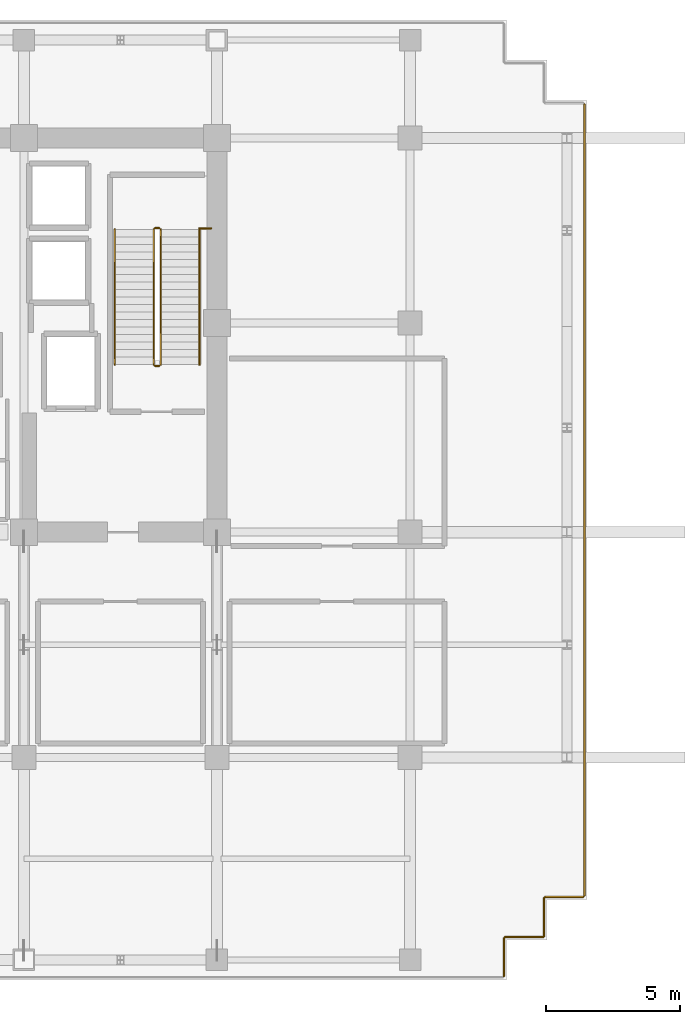
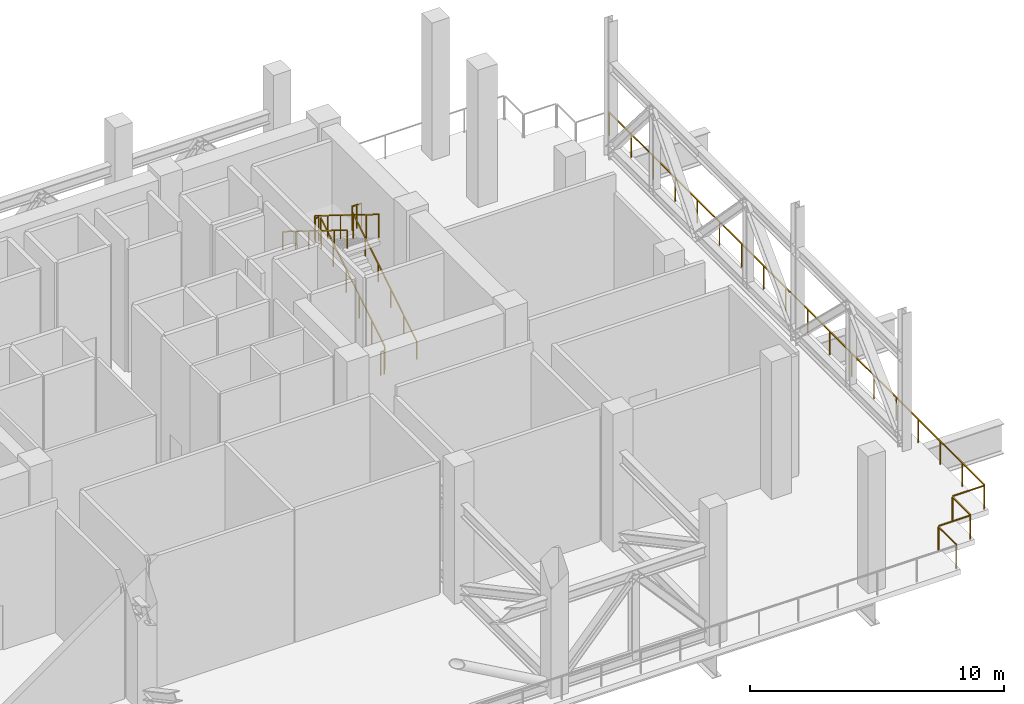
# One storey, part 13 of 15: 12 railings.
"""IFC4 building model written with IfcOpenShell, lengths in metres."""

from ifc_helpers import new_model, si_unit, direction, frame, origin, origin_2d, place, context, subcontext, project, spatial, rectangle, extrude, material, type_object, element, save


model = new_model("IFC4")

# Units and contexts
model_context = context("Model", 3, precision=1e-05, world=origin(), true_north=direction((0.0, 1.0)))
body_context = subcontext(model_context, "Body", "Model", "MODEL_VIEW")
ifc_project = project(units=[si_unit("LENGTHUNIT", "METRE"), si_unit("AREAUNIT", "SQUARE_METRE"), si_unit("VOLUMEUNIT", "CUBIC_METRE"), si_unit("PLANEANGLEUNIT", "RADIAN"), si_unit("MASSUNIT", "GRAM", prefix="KILO")], contexts=[model_context])

# Site, building, storey
site_placement = place(None, origin())
site = spatial("IfcSite", under=ifc_project, at=site_placement, CompositionType="ELEMENT")
building_placement = place(site_placement, origin())
building = spatial("IfcBuilding", under=site, at=building_placement, Name="Zarnakvel Exchange Tower", CompositionType="ELEMENT")
storey_placement = place(building_placement, frame((0.0, 0.0, 80.199951171875)))
storey = spatial("IfcBuildingStorey", under=building, at=storey_placement, Name="L22", CompositionType="ELEMENT", Elevation=80.199951171875)

# Railings
ifc_material_1 = material(Name="Architectural Bronze Anodised Aluminium", Category="aluminium")
railing_type_1 = type_object("IfcRailingType", Name="GR-01", PredefinedType="GUARDRAIL", material=ifc_material_1)
railing_1_placement = place(storey_placement, frame((28.10009765625, 14.760009765625, 0.0)))
element("IfcRailing", 1, at=railing_1_placement, inside=storey, type_object=railing_type_1, Name="L22 Perimeter Guardrail GR-L22-PERIM-11 (GR-01)", PredefinedType="GUARDRAIL", context=body_context, shape_type="SweptSolid", body=[
    extrude(rectangle(XDim=0.048095703125, YDim=0.048095703125, at=origin_2d()), frame((0.0, 0.0, 1.1259765625), z_axis=(0.0, -1.0, 0.0), x_axis=(1.0, 0.0, 0.0)), (0.0, 0.0, 1.0), 29.52001953125),
    extrude(rectangle(XDim=0.0419921875, YDim=0.0419921875, at=origin_2d()), origin(), (0.0, 0.0, 1.0), 1.101806640625),
    extrude(rectangle(XDim=0.0419921875, YDim=0.0419921875, at=origin_2d()), frame((0.0, -1.736572265625, 0.0)), (0.0, 0.0, 1.0), 1.101806640625),
    extrude(rectangle(XDim=0.0419921875, YDim=0.0419921875, at=origin_2d()), frame((0.0, -3.472900390625, 0.0)), (0.0, 0.0, 1.0), 1.101806640625),
    extrude(rectangle(XDim=0.0419921875, YDim=0.0419921875, at=origin_2d()), frame((0.0, -5.20947265625, 0.0)), (0.0, 0.0, 1.0), 1.101806640625),
    extrude(rectangle(XDim=0.0419921875, YDim=0.0419921875, at=origin_2d()), frame((0.0, -6.94580078125, 0.0)), (0.0, 0.0, 1.0), 1.101806640625),
    extrude(rectangle(XDim=0.0419921875, YDim=0.0419921875, at=origin_2d()), frame((0.0, -8.682373046875, 0.0)), (0.0, 0.0, 1.0), 1.101806640625),
    extrude(rectangle(XDim=0.0419921875, YDim=0.0419921875, at=origin_2d()), frame((0.0, -10.4189453125, 0.0)), (0.0, 0.0, 1.0), 1.101806640625),
    extrude(rectangle(XDim=0.0419921875, YDim=0.0419921875, at=origin_2d()), frame((0.0, -12.1552734375, 0.0)), (0.0, 0.0, 1.0), 1.101806640625),
    extrude(rectangle(XDim=0.0419921875, YDim=0.0419921875, at=origin_2d()), frame((0.0, -13.891845703125, 0.0)), (0.0, 0.0, 1.0), 1.101806640625),
    extrude(rectangle(XDim=0.0419921875, YDim=0.0419921875, at=origin_2d()), frame((0.0, -15.628173828125, 0.0)), (0.0, 0.0, 1.0), 1.101806640625),
    extrude(rectangle(XDim=0.0419921875, YDim=0.0419921875, at=origin_2d()), frame((0.0, -17.36474609375, 0.0)), (0.0, 0.0, 1.0), 1.101806640625),
    extrude(rectangle(XDim=0.0419921875, YDim=0.0419921875, at=origin_2d()), frame((0.0, -19.10107421875, 0.0)), (0.0, 0.0, 1.0), 1.101806640625),
    extrude(rectangle(XDim=0.0419921875, YDim=0.0419921875, at=origin_2d()), frame((0.0, -20.837646484375, 0.0)), (0.0, 0.0, 1.0), 1.101806640625),
    extrude(rectangle(XDim=0.0419921875, YDim=0.0419921875, at=origin_2d()), frame((0.0, -22.57421875, 0.0)), (0.0, 0.0, 1.0), 1.101806640625),
    extrude(rectangle(XDim=0.0419921875, YDim=0.0419921875, at=origin_2d()), frame((0.0, -24.310546875, 0.0)), (0.0, 0.0, 1.0), 1.101806640625),
    extrude(rectangle(XDim=0.0419921875, YDim=0.0419921875, at=origin_2d()), frame((0.0, -26.047119140625, 0.0)), (0.0, 0.0, 1.0), 1.101806640625),
    extrude(rectangle(XDim=0.0419921875, YDim=0.0419921875, at=origin_2d()), frame((0.0, -27.783447265625, 0.0)), (0.0, 0.0, 1.0), 1.101806640625),
    extrude(rectangle(XDim=0.0419921875, YDim=0.0419921875, at=origin_2d()), frame((0.0, -29.52001953125, 0.0)), (0.0, 0.0, 1.0), 1.101806640625),
])
railing_2_placement = place(storey_placement, frame((28.06005859375, -14.800048828125, 0.0)))
element("IfcRailing", 2, at=railing_2_placement, inside=storey, type_object=railing_type_1, Name="L22 Perimeter Guardrail GR-L22-PERIM-12 (GR-01)", PredefinedType="GUARDRAIL", context=body_context, shape_type="SweptSolid", body=[
    extrude(rectangle(XDim=0.048095703125, YDim=0.048095703125, at=origin_2d()), frame((0.0, 0.0, 1.1259765625), z_axis=(-1.0, 0.0, 0.0), x_axis=(0.0, -1.0, 0.0)), (0.0, 0.0, 1.0), 1.420166015625),
    extrude(rectangle(XDim=0.0419921875, YDim=0.0419921875, at=origin_2d()), origin(), (0.0, 0.0, 1.0), 1.101806640625),
    extrude(rectangle(XDim=0.0419921875, YDim=0.0419921875, at=origin_2d()), frame((-1.420166015625, 0.0, 0.0)), (0.0, 0.0, 1.0), 1.101806640625),
])
railing_3_placement = place(storey_placement, frame((26.60009765625, -14.840087890625, 0.0)))
element("IfcRailing", 3, at=railing_3_placement, inside=storey, type_object=railing_type_1, Name="L22 Perimeter Guardrail GR-L22-PERIM-13 (GR-01)", PredefinedType="GUARDRAIL", context=body_context, shape_type="SweptSolid", body=[
    extrude(rectangle(XDim=0.048095703125, YDim=0.048095703125, at=origin_2d()), frame((0.0, 0.0, 1.1259765625), z_axis=(0.0, -1.0, 0.0), x_axis=(1.0, 0.0, 0.0)), (0.0, 0.0, 1.0), 1.419921875),
    extrude(rectangle(XDim=0.0419921875, YDim=0.0419921875, at=origin_2d()), origin(), (0.0, 0.0, 1.0), 1.101806640625),
    extrude(rectangle(XDim=0.0419921875, YDim=0.0419921875, at=origin_2d()), frame((0.0, -1.419921875, 0.0)), (0.0, 0.0, 1.0), 1.101806640625),
])
railing_4_placement = place(storey_placement, frame((26.56005859375, -16.300048828125, 0.0)))
element("IfcRailing", 4, at=railing_4_placement, inside=storey, type_object=railing_type_1, Name="L22 Perimeter Guardrail GR-L22-PERIM-14 (GR-01)", PredefinedType="GUARDRAIL", context=body_context, shape_type="SweptSolid", body=[
    extrude(rectangle(XDim=0.048095703125, YDim=0.048095703125, at=origin_2d()), frame((0.0, 0.0, 1.1259765625), z_axis=(-1.0, 0.0, 0.0), x_axis=(0.0, -1.0, 0.0)), (0.0, 0.0, 1.0), 1.420166015625),
    extrude(rectangle(XDim=0.0419921875, YDim=0.0419921875, at=origin_2d()), origin(), (0.0, 0.0, 1.0), 1.101806640625),
    extrude(rectangle(XDim=0.0419921875, YDim=0.0419921875, at=origin_2d()), frame((-1.420166015625, 0.0, 0.0)), (0.0, 0.0, 1.0), 1.101806640625),
])
railing_5_placement = place(storey_placement, frame((25.10009765625, -16.340087890625, 0.0)))
element("IfcRailing", 5, at=railing_5_placement, inside=storey, type_object=railing_type_1, Name="L22 Perimeter Guardrail GR-L22-PERIM-15 (GR-01)", PredefinedType="GUARDRAIL", context=body_context, shape_type="SweptSolid", body=[
    extrude(rectangle(XDim=0.048095703125, YDim=0.048095703125, at=origin_2d()), frame((0.0, 0.0, 1.1259765625), z_axis=(0.0, -1.0, 0.0), x_axis=(1.0, 0.0, 0.0)), (0.0, 0.0, 1.0), 1.419921875),
    extrude(rectangle(XDim=0.0419921875, YDim=0.0419921875, at=origin_2d()), origin(), (0.0, 0.0, 1.0), 1.101806640625),
    extrude(rectangle(XDim=0.0419921875, YDim=0.0419921875, at=origin_2d()), frame((0.0, -1.419921875, 0.0)), (0.0, 0.0, 1.0), 1.101806640625),
])
ifc_material_2 = material(Name="Brushed Stainless Steel", Category="steel")
railing_type_2 = type_object("IfcRailingType", Name="HR-01", PredefinedType="HANDRAIL", material=ifc_material_2)
railing_6_placement = place(storey_placement, frame((13.75, 5.050048828125, 0.173828125)))
element("IfcRailing", 6, at=railing_6_placement, inside=storey, type_object=railing_type_2, Name="L22 ST-02 stair handrail 1", PredefinedType="HANDRAIL", context=body_context, shape_type="SweptSolid", body=[
    extrude(rectangle(XDim=0.048095703125, YDim=0.048095703125, at=origin_2d()), frame((0.0, 0.0, 0.8759765625), z_axis=(0.0, 0.849797224451, 0.527109739348), x_axis=(-1.0, 0.0, 0.0)), (0.0, 0.0, 1.0), 5.930908203125),
    extrude(rectangle(XDim=0.0419921875, YDim=0.0419921875, at=origin_2d()), origin(), (0.0, 0.0, 1.0), 0.851806640625),
    extrude(rectangle(XDim=0.0419921875, YDim=0.0419921875, at=origin_2d()), frame((0.0, 1.008056640625, 0.625244140625)), (0.0, 0.0, 1.0), 0.851806640625),
    extrude(rectangle(XDim=0.0419921875, YDim=0.0419921875, at=origin_2d()), frame((0.0, 2.01611328125, 1.25048828125)), (0.0, 0.0, 1.0), 0.851806640625),
    extrude(rectangle(XDim=0.0419921875, YDim=0.0419921875, at=origin_2d()), frame((0.0, 3.02392578125, 1.875732421875)), (0.0, 0.0, 1.0), 0.851806640625),
    extrude(rectangle(XDim=0.0419921875, YDim=0.0419921875, at=origin_2d()), frame((0.0, 4.031982421875, 2.5009765625)), (0.0, 0.0, 1.0), 0.851806640625),
    extrude(rectangle(XDim=0.0419921875, YDim=0.0419921875, at=origin_2d()), frame((0.0, 5.0400390625, 3.126220703125)), (0.0, 0.0, 1.0), 0.851806640625),
])
railing_7_placement = place(storey_placement, frame((10.590087890625, 10.090087890625, 3.4736328125)))
element("IfcRailing", 7, at=railing_7_placement, inside=storey, type_object=railing_type_2, Name="L22 ST-02 stair handrail 2", PredefinedType="HANDRAIL", context=body_context, shape_type="SweptSolid", body=[
    extrude(rectangle(XDim=0.048095703125, YDim=0.048095703125, at=origin_2d()), frame((0.0, 0.0, 0.8759765625), z_axis=(0.0, -0.849778785312, 0.527139465448), x_axis=(1.0, 0.0, 0.0)), (0.0, 0.0, 1.0), 5.930908203125),
    extrude(rectangle(XDim=0.0419921875, YDim=0.0419921875, at=origin_2d()), origin(), (0.0, 0.0, 1.0), 0.851806640625),
    extrude(rectangle(XDim=0.0419921875, YDim=0.0419921875, at=origin_2d()), frame((0.0, -1.008056640625, 0.625244140625)), (0.0, 0.0, 1.0), 0.851806640625),
    extrude(rectangle(XDim=0.0419921875, YDim=0.0419921875, at=origin_2d()), frame((0.0, -2.01611328125, 1.25048828125)), (0.0, 0.0, 1.0), 0.851806640625),
    extrude(rectangle(XDim=0.0419921875, YDim=0.0419921875, at=origin_2d()), frame((0.0, -3.02392578125, 1.8759765625)), (0.0, 0.0, 1.0), 0.851806640625),
    extrude(rectangle(XDim=0.0419921875, YDim=0.0419921875, at=origin_2d()), frame((0.0, -4.031982421875, 2.501220703125)), (0.0, 0.0, 1.0), 0.851806640625),
    extrude(rectangle(XDim=0.0419921875, YDim=0.0419921875, at=origin_2d()), frame((0.0, -5.0400390625, 3.12646484375)), (0.0, 0.0, 1.0), 0.851806640625),
])
railing_type_3 = type_object("IfcRailingType", Name="SG-01", PredefinedType="GUARDRAIL", material=ifc_material_1)
railing_8_placement = place(storey_placement, frame((12.300048828125, 5.050048828125, 0.173828125)))
element("IfcRailing", 8, at=railing_8_placement, inside=storey, type_object=railing_type_3, Name="L22 ST-02 stair guard 1", PredefinedType="GUARDRAIL", context=body_context, shape_type="SweptSolid", body=[
    extrude(rectangle(XDim=0.048095703125, YDim=0.048095703125, at=origin_2d()), frame((0.0, 0.0, 1.1259765625), z_axis=(0.0, 0.849797224451, 0.527109739348), x_axis=(-1.0, 0.0, 0.0)), (0.0, 0.0, 1.0), 5.930908203125),
    extrude(rectangle(XDim=0.0419921875, YDim=0.0419921875, at=origin_2d()), origin(), (0.0, 0.0, 1.0), 1.101806640625),
    extrude(rectangle(XDim=0.0419921875, YDim=0.0419921875, at=origin_2d()), frame((0.0, 1.008056640625, 0.625244140625)), (0.0, 0.0, 1.0), 1.101806640625),
    extrude(rectangle(XDim=0.0419921875, YDim=0.0419921875, at=origin_2d()), frame((0.0, 2.01611328125, 1.25048828125)), (0.0, 0.0, 1.0), 1.101806640625),
    extrude(rectangle(XDim=0.0419921875, YDim=0.0419921875, at=origin_2d()), frame((0.0, 3.02392578125, 1.875732421875)), (0.0, 0.0, 1.0), 1.101806640625),
    extrude(rectangle(XDim=0.0419921875, YDim=0.0419921875, at=origin_2d()), frame((0.0, 4.031982421875, 2.5009765625)), (0.0, 0.0, 1.0), 1.101806640625),
    extrude(rectangle(XDim=0.0419921875, YDim=0.0419921875, at=origin_2d()), frame((0.0, 5.0400390625, 3.126220703125)), (0.0, 0.0, 1.0), 1.101806640625),
])
railing_9_placement = place(storey_placement, frame((12.25, 10.139892578125, 3.300048828125)))
element("IfcRailing", 9, at=railing_9_placement, inside=storey, type_object=railing_type_3, Name="L22 ST-02 stair guard 2", PredefinedType="GUARDRAIL", context=body_context, shape_type="SweptSolid", body=[
    extrude(rectangle(XDim=0.048095703125, YDim=0.048095703125, at=origin_2d()), frame((0.0, 0.0, 1.1259765625), z_axis=(-1.0, 0.0, 0.0), x_axis=(0.0, -1.0, 0.0)), (0.0, 0.0, 1.0), 0.159912109375),
    extrude(rectangle(XDim=0.0419921875, YDim=0.0419921875, at=origin_2d()), origin(), (0.0, 0.0, 1.0), 1.101806640625),
    extrude(rectangle(XDim=0.0419921875, YDim=0.0419921875, at=origin_2d()), frame((-0.159912109375, 0.0, 0.0)), (0.0, 0.0, 1.0), 1.101806640625),
])
railing_10_placement = place(storey_placement, frame((12.0400390625, 10.090087890625, 3.4736328125)))
element("IfcRailing", 10, at=railing_10_placement, inside=storey, type_object=railing_type_3, Name="L22 ST-02 stair guard 3", PredefinedType="GUARDRAIL", context=body_context, shape_type="SweptSolid", body=[
    extrude(rectangle(XDim=0.048095703125, YDim=0.048095703125, at=origin_2d()), frame((0.0, 0.0, 1.1259765625), z_axis=(0.0, -0.849778785312, 0.527139465448), x_axis=(1.0, 0.0, 0.0)), (0.0, 0.0, 1.0), 5.930908203125),
    extrude(rectangle(XDim=0.0419921875, YDim=0.0419921875, at=origin_2d()), origin(), (0.0, 0.0, 1.0), 1.101806640625),
    extrude(rectangle(XDim=0.0419921875, YDim=0.0419921875, at=origin_2d()), frame((0.0, -1.008056640625, 0.625244140625)), (0.0, 0.0, 1.0), 1.101806640625),
    extrude(rectangle(XDim=0.0419921875, YDim=0.0419921875, at=origin_2d()), frame((0.0, -2.01611328125, 1.25048828125)), (0.0, 0.0, 1.0), 1.101806640625),
    extrude(rectangle(XDim=0.0419921875, YDim=0.0419921875, at=origin_2d()), frame((0.0, -3.02392578125, 1.8759765625)), (0.0, 0.0, 1.0), 1.101806640625),
    extrude(rectangle(XDim=0.0419921875, YDim=0.0419921875, at=origin_2d()), frame((0.0, -4.031982421875, 2.501220703125)), (0.0, 0.0, 1.0), 1.101806640625),
    extrude(rectangle(XDim=0.0419921875, YDim=0.0419921875, at=origin_2d()), frame((0.0, -5.0400390625, 3.12646484375)), (0.0, 0.0, 1.0), 1.101806640625),
])
railing_11_placement = place(storey_placement, frame((12.25, 5.0, 0.0)))
element("IfcRailing", 11, at=railing_11_placement, inside=storey, type_object=railing_type_3, Name="L22 ST-02 stair guard 4", PredefinedType="GUARDRAIL", context=body_context, shape_type="SweptSolid", body=[
    extrude(rectangle(XDim=0.048095703125, YDim=0.048095703125, at=origin_2d()), frame((0.0, 0.0, 1.1259765625), z_axis=(-1.0, 0.0, 0.0), x_axis=(0.0, -1.0, 0.0)), (0.0, 0.0, 1.0), 0.159912109375),
    extrude(rectangle(XDim=0.0419921875, YDim=0.0419921875, at=origin_2d()), origin(), (0.0, 0.0, 1.0), 1.101806640625),
    extrude(rectangle(XDim=0.0419921875, YDim=0.0419921875, at=origin_2d()), frame((-0.159912109375, 0.0, 0.0)), (0.0, 0.0, 1.0), 1.101806640625),
])
railing_12_placement = place(storey_placement, frame((13.75, 10.1298828125, 3.300048828125)))
element("IfcRailing", 12, at=railing_12_placement, inside=storey, type_object=railing_type_3, Name="L22 ST-02 Landing Slot Guardrail", PredefinedType="GUARDRAIL", context=body_context, shape_type="SweptSolid", body=[
    extrude(rectangle(XDim=0.048095703125, YDim=0.048095703125, at=origin_2d()), frame((0.0, 0.0, 1.1259765625), z_axis=(1.0, 0.0, 0.0), x_axis=(0.0, 1.0, 0.0)), (0.0, 0.0, 1.0), 0.429931640625),
    extrude(rectangle(XDim=0.0419921875, YDim=0.0419921875, at=origin_2d()), origin(), (0.0, 0.0, 1.0), 1.101806640625),
    extrude(rectangle(XDim=0.0419921875, YDim=0.0419921875, at=origin_2d()), frame((0.21484375, 0.0, 0.0)), (0.0, 0.0, 1.0), 1.101806640625),
    extrude(rectangle(XDim=0.0419921875, YDim=0.0419921875, at=origin_2d()), frame((0.429931640625, 0.0, 0.0)), (0.0, 0.0, 1.0), 1.101806640625),
])

save(model, "model.ifc")
